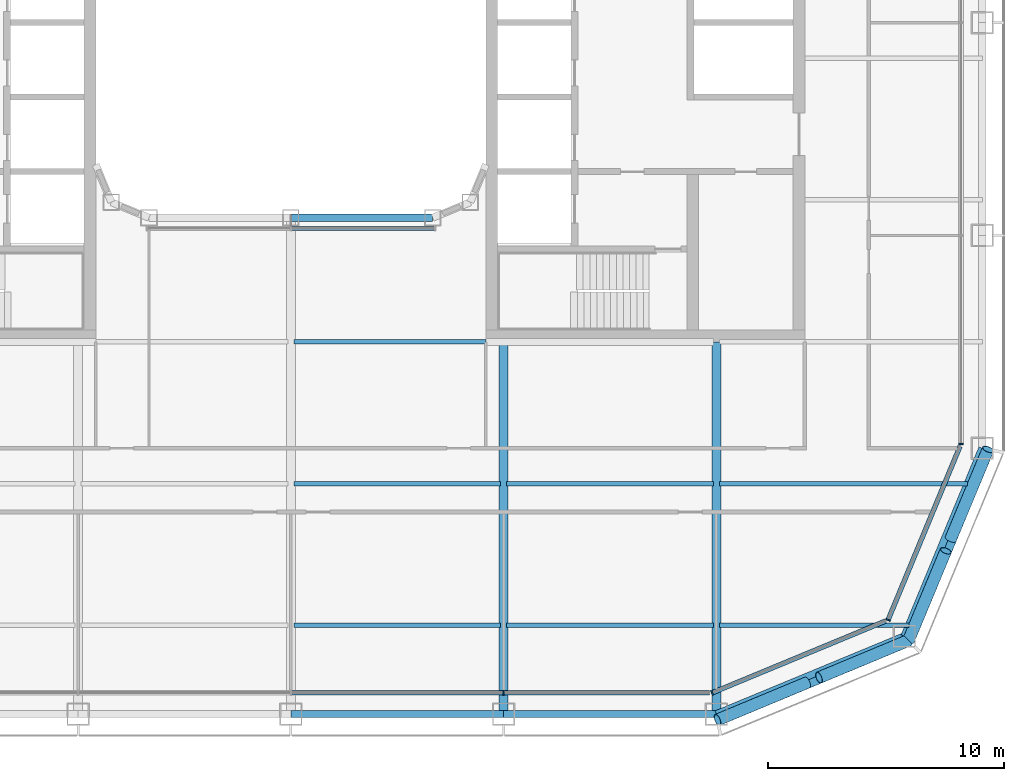
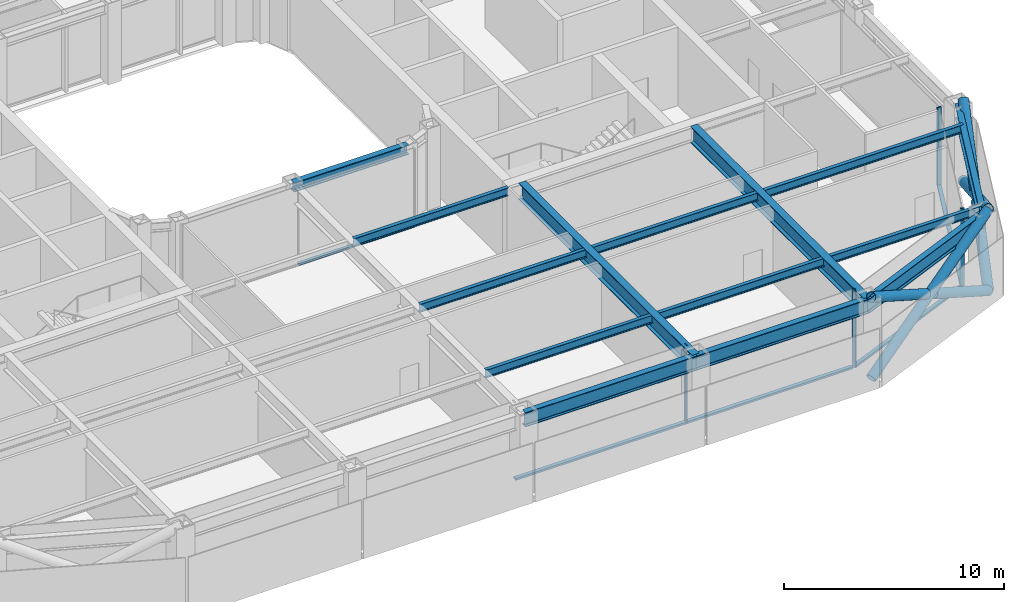
# One storey, part 4 of 23: 15 members, 14 beams, 5 elements without a shape of their own.
"""IFC4 building model written with IfcOpenShell, lengths in metres."""

from ifc_helpers import new_model, si_unit, direction, frame, origin, origin_2d, place, context, subcontext, project, spatial, rectangle, hollow_circle, i_section, extrude, material, layer, layer_set, material_profile, profile_set, type_object, element, aggregate, save


model = new_model("IFC4")

# Units and contexts
model_context = context("Model", 3, precision=1e-05, world=origin(), true_north=direction((0.0, 1.0)))
body_context = subcontext(model_context, "Body", "Model", "MODEL_VIEW")
ifc_project = project(units=[si_unit("LENGTHUNIT", "METRE"), si_unit("AREAUNIT", "SQUARE_METRE"), si_unit("VOLUMEUNIT", "CUBIC_METRE"), si_unit("PLANEANGLEUNIT", "RADIAN"), si_unit("MASSUNIT", "GRAM", prefix="KILO")], contexts=[model_context])

# Site, building, storey
site_placement = place(None, origin())
site = spatial("IfcSite", under=ifc_project, at=site_placement, CompositionType="ELEMENT")
building_placement = place(site_placement, origin())
building = spatial("IfcBuilding", under=site, at=building_placement, Name="Siwar Civic Tower", CompositionType="ELEMENT")
storey_placement = place(building_placement, frame((0.0, 0.0, 118.199951171875)))
storey = spatial("IfcBuildingStorey", under=building, at=storey_placement, Name="L25", CompositionType="ELEMENT", Elevation=118.199951171875)

# Curtain wall, member
ifc_material_1 = material(Name="Aluminium and glass", Category="aluminium")
ifc_layer_1 = layer(ifc_material_1, 0.199951171875)
ifc_layer_set_1 = layer_set([ifc_layer_1], Name="Aluminium and glass")
curtain_wall_type_1 = type_object("IfcCurtainWallType", Name="ENV-CW-B", PredefinedType="NOTDEFINED", material=ifc_layer_set_1)
curtain_wall_1_placement = place(storey_placement, origin())
curtain_wall_1 = element("IfcCurtainWall", 1, at=curtain_wall_1_placement, inside=storey, type_object=curtain_wall_type_1, Name="Curtain wall B S", PredefinedType="NOTDEFINED")
ifc_material_2 = material(Name="Aluminium 6063-T6", Category="aluminium")
ifc_material_profile_1 = material_profile(ifc_material_2, rectangle(XDim=0.199951171875, YDim=0.06494140625, at=origin_2d()), Name="AL 200x65")
ifc_profile_set_1 = profile_set([ifc_material_profile_1], Name="Aluminium 6063-T6")
member_type_1 = type_object("IfcMemberType", Name="ENV-MULLION-B", PredefinedType="MULLION", material=ifc_profile_set_1)
member_1_placement = place(storey_placement, frame((9.0, -28.35009765625, 0.0), z_axis=(0.0, 0.0, 1.0), x_axis=(0.0, 1.0, 0.0)))
member_1 = element("IfcMember", 2, at=member_1_placement, type_object=member_type_1, Name="Mullion B S 4", PredefinedType="MULLION", context=body_context, shape_type="SweptSolid", body=[
    extrude(rectangle(XDim=0.199951171875, YDim=0.06494140625, at=origin_2d()), origin(), (0.0, 0.0, 1.0), 4.35009765625),
])

ifc_material_3 = material(Name="Aluminium clad insulated panel", Category="aluminium")
ifc_layer_2 = layer(ifc_material_3, 0.199951171875)
ifc_layer_set_2 = layer_set([ifc_layer_2], Name="Aluminium clad insulated panel")
curtain_wall_type_2 = type_object("IfcCurtainWallType", Name="ENV-CW-BX", PredefinedType="NOTDEFINED", material=ifc_layer_set_2)
curtain_wall_2_placement = place(storey_placement, origin())
curtain_wall_2 = element("IfcCurtainWall", 3, at=curtain_wall_2_placement, inside=storey, type_object=curtain_wall_type_2, Name="Curtain wall B SE1", PredefinedType="NOTDEFINED")
member_2_placement = place(storey_placement, frame((17.821044921875, -28.35009765625, 0.0), z_axis=(0.0, 0.0, 1.0), x_axis=(-0.382683432365, 0.923879532511, 0.0)))
member_2 = element("IfcMember", 4, at=member_2_placement, type_object=member_type_1, Name="Mullion B SE1 1", PredefinedType="MULLION", context=body_context, shape_type="SweptSolid", body=[
    extrude(rectangle(XDim=0.199951171875, YDim=0.06494140625, at=origin_2d()), origin(), (0.0, 0.0, 1.0), 4.35009765625),
])

curtain_wall_3_placement = place(storey_placement, origin())
curtain_wall_3 = element("IfcCurtainWall", 5, at=curtain_wall_3_placement, inside=storey, type_object=curtain_wall_type_2, Name="Curtain wall B SE2", PredefinedType="NOTDEFINED")
member_3_placement = place(storey_placement, frame((25.26611328125, -25.26611328125, 0.0), z_axis=(0.0, 0.0, 1.0), x_axis=(-0.923879532511, 0.382683432365, 0.0)))
member_3 = element("IfcMember", 6, at=member_3_placement, type_object=member_type_1, Name="Mullion B SE2 1", PredefinedType="MULLION", context=body_context, shape_type="SweptSolid", body=[
    extrude(rectangle(XDim=0.199951171875, YDim=0.06494140625, at=origin_2d()), origin(), (0.0, 0.0, 1.0), 4.35009765625),
])

curtain_wall_4_placement = place(storey_placement, origin())
curtain_wall_4 = element("IfcCurtainWall", 7, at=curtain_wall_4_placement, inside=storey, type_object=curtain_wall_type_1, Name="Curtain wall B E", PredefinedType="NOTDEFINED")
member_4_placement = place(storey_placement, frame((28.35009765625, -17.821044921875, 0.0), z_axis=(0.0, 0.0, 1.0), x_axis=(-1.0, 0.0, 0.0)))
member_4 = element("IfcMember", 8, at=member_4_placement, type_object=member_type_1, Name="Mullion B E 1", PredefinedType="MULLION", context=body_context, shape_type="SweptSolid", body=[
    extrude(rectangle(XDim=0.199951171875, YDim=0.06494140625, at=origin_2d()), origin(), (0.0, 0.0, 1.0), 4.35009765625),
])
aggregate(curtain_wall_4, [member_4])

# Member
ifc_material_4 = material(Name="Aluminium 6063-T6", Category="aluminium")
ifc_material_profile_2 = material_profile(ifc_material_4, rectangle(XDim=0.199951171875, YDim=0.110107421875, at=origin_2d()), Name="AL 200x110")
ifc_profile_set_2 = profile_set([ifc_material_profile_2], Name="Aluminium 6063-T6")
member_type_2 = type_object("IfcMemberType", Name="ENV-TRANSOM-B", PredefinedType="USERDEFINED", material=ifc_profile_set_2)
member_5_placement = place(storey_placement, frame((0.032470703125, -28.35009765625, 0.054931640625), z_axis=(1.0, 0.0, 0.0), x_axis=(0.0, 1.0, 0.0)))
member_5 = element("IfcMember", 9, at=member_5_placement, type_object=member_type_2, Name="Transom B S 3", ObjectType="TRANSOM", PredefinedType="USERDEFINED", context=body_context, shape_type="SweptSolid", body=[
    extrude(rectangle(XDim=0.199951171875, YDim=0.110107421875, at=origin_2d()), origin(), (0.0, 0.0, 1.0), 8.93505859375),
])

member_6_placement = place(storey_placement, frame((9.032470703125, -28.35009765625, 0.054931640625), z_axis=(1.0, 0.0, 0.0), x_axis=(0.0, 1.0, 0.0)))
member_6 = element("IfcMember", 10, at=member_6_placement, type_object=member_type_2, Name="Transom B S 4", ObjectType="TRANSOM", PredefinedType="USERDEFINED", context=body_context, shape_type="SweptSolid", body=[
    extrude(rectangle(XDim=0.199951171875, YDim=0.110107421875, at=origin_2d()), origin(), (0.0, 0.0, 1.0), 8.6748046875),
])

aggregate(curtain_wall_1, [member_1, member_5, member_6])

member_7_placement = place(storey_placement, frame((17.85107421875, -28.337646484375, 0.054931640625), z_axis=(0.92387279587, 0.382699695651, 0.0), x_axis=(-0.382699695651, 0.92387279587, 0.0)))
member_7 = element("IfcMember", 11, at=member_7_placement, type_object=member_type_2, Name="Transom B SE1 1", ObjectType="TRANSOM", PredefinedType="USERDEFINED", context=body_context, shape_type="SweptSolid", body=[
    extrude(rectangle(XDim=0.199951171875, YDim=0.110107421875, at=origin_2d()), origin(), (0.0, 0.0, 1.0), 7.912353515625),
])

aggregate(curtain_wall_2, [member_2, member_7])

member_8_placement = place(storey_placement, frame((25.278564453125, -25.236083984375, 0.054931640625), z_axis=(0.382673358825, 0.923883705044, 0.0), x_axis=(-0.923883705044, 0.382673358825, 0.0)))
member_8 = element("IfcMember", 12, at=member_8_placement, type_object=member_type_2, Name="Transom B SE2 1", ObjectType="TRANSOM", PredefinedType="USERDEFINED", context=body_context, shape_type="SweptSolid", body=[
    extrude(rectangle(XDim=0.199951171875, YDim=0.110107421875, at=origin_2d()), origin(), (0.0, 0.0, 1.0), 7.912353515625),
])

aggregate(curtain_wall_3, [member_3, member_8])

# Curtain wall, member
ifc_material_5 = material(Name="Aluminium and glass", Category="aluminium")
ifc_layer_3 = layer(ifc_material_5, 0.179931640625)
ifc_layer_set_3 = layer_set([ifc_layer_3], Name="Aluminium and glass")
curtain_wall_type_3 = type_object("IfcCurtainWallType", Name="ENV-CW-W", PredefinedType="NOTDEFINED", material=ifc_layer_set_3)
curtain_wall_5_placement = place(storey_placement, origin())
curtain_wall_5 = element("IfcCurtainWall", 13, at=curtain_wall_5_placement, inside=storey, type_object=curtain_wall_type_3, Name="Curtain wall W WS", PredefinedType="NOTDEFINED")
ifc_material_6 = material(Name="Aluminium 6063-T6", Category="aluminium")
ifc_material_profile_3 = material_profile(ifc_material_6, rectangle(XDim=0.179931640625, YDim=0.10009765625, at=origin_2d()), Name="AL 180x100")
ifc_profile_set_3 = profile_set([ifc_material_profile_3], Name="Aluminium 6063-T6")
member_type_3 = type_object("IfcMemberType", Name="ENV-TRANSOM-W", PredefinedType="USERDEFINED", material=ifc_profile_set_3)
member_9_placement = place(storey_placement, frame((0.030029296875, -8.7099609375, 0.050048828125), z_axis=(1.0, 0.0, 0.0), x_axis=(0.0, 1.0, 0.0)))
member_9 = element("IfcMember", 14, at=member_9_placement, type_object=member_type_3, Name="Transom W WS 2", ObjectType="TRANSOM", PredefinedType="USERDEFINED", context=body_context, shape_type="SweptSolid", body=[
    extrude(rectangle(XDim=0.179931640625, YDim=0.10009765625, at=origin_2d()), origin(), (0.0, 0.0, 1.0), 6.031494140625),
])
aggregate(curtain_wall_5, [member_9])

# Members
ifc_material_7 = material(Name="Steel S355", Category="steel")
ifc_material_profile_4 = material_profile(ifc_material_7, hollow_circle(Radius=0.25390625, WallThickness=0.02490234375, at=origin_2d()), Name="CHS508x25")
ifc_profile_set_4 = profile_set([ifc_material_profile_4], Name="Steel S355")
member_type_4 = type_object("IfcMemberType", Name="STR-BR-CHS508x25", PredefinedType="BRACE", material=ifc_profile_set_4)
member_10_placement = place(storey_placement, frame((29.4951171875, -18.048828125, 0.0), z_axis=(-0.341671493852, -0.821142553604, 0.457149315816), x_axis=(0.923264922524, -0.384163874976, 0.0)))
element("IfcMember", 15, at=member_10_placement, inside=storey, type_object=member_type_4, Name="L25/brc/BSE1-4-0-1", PredefinedType="BRACE", context=body_context, shape_type="SweptSolid", body=[
    extrude(hollow_circle(Radius=0.25390625, WallThickness=0.02490234375, at=origin_2d()), origin(), (0.0, 0.0, 1.0), 9.843505859375),
])
member_11_placement = place(storey_placement, frame((26.1318359375, -26.1318359375, 0.0), z_axis=(0.341662474736, 0.821143275065, 0.457154760636), x_axis=(-0.923268638995, 0.384154943021, 0.0)))
element("IfcMember", 16, at=member_11_placement, inside=storey, type_object=member_type_4, Name="L25/brc/BSE1-4-0-2", PredefinedType="BRACE", context=body_context, shape_type="SweptSolid", body=[
    extrude(hollow_circle(Radius=0.25390625, WallThickness=0.02490234375, at=origin_2d()), origin(), (0.0, 0.0, 1.0), 4.61474609375),
])
member_12_placement = place(storey_placement, frame((27.91845703125, -21.837890625, 2.390625), z_axis=(0.34168558233, 0.821145902409, 0.457132770413), x_axis=(-0.923259859753, 0.384176042158, 0.0)))
element("IfcMember", 17, at=member_12_placement, inside=storey, type_object=member_type_4, Name="L25/brc/BSE1-4-0-3", PredefinedType="BRACE", context=body_context, shape_type="SweptSolid", body=[
    extrude(hollow_circle(Radius=0.25390625, WallThickness=0.02490234375, at=origin_2d()), origin(), (0.0, 0.0, 1.0), 4.6142578125),
])
member_13_placement = place(storey_placement, frame((18.048828125, -29.4951171875, 0.0), z_axis=(0.821142553604, 0.341671493852, 0.457149315816), x_axis=(-0.384163874976, 0.923264922524, 0.0)))
element("IfcMember", 18, at=member_13_placement, inside=storey, type_object=member_type_4, Name="L25/brc/BSE1-4-0-0", PredefinedType="BRACE", context=body_context, shape_type="SweptSolid", body=[
    extrude(hollow_circle(Radius=0.25390625, WallThickness=0.02490234375, at=origin_2d()), origin(), (0.0, 0.0, 1.0), 9.843505859375),
])
member_14_placement = place(storey_placement, frame((26.1318359375, -26.1318359375, 0.0), z_axis=(-0.821143275065, -0.341662474736, 0.457154760636), x_axis=(0.384154943021, -0.923268638995, 0.0)))
element("IfcMember", 19, at=member_14_placement, inside=storey, type_object=member_type_4, Name="L25/brc/BSE1-4-0-4", PredefinedType="BRACE", context=body_context, shape_type="SweptSolid", body=[
    extrude(hollow_circle(Radius=0.25390625, WallThickness=0.02490234375, at=origin_2d()), origin(), (0.0, 0.0, 1.0), 4.61474609375),
])
member_15_placement = place(storey_placement, frame((21.837890625, -27.91845703125, 2.390625), z_axis=(-0.821145902409, -0.34168558233, 0.457132770413), x_axis=(0.384176042158, -0.923259859753, 0.0)))
element("IfcMember", 20, at=member_15_placement, inside=storey, type_object=member_type_4, Name="L25/brc/BSE1-4-0-5", PredefinedType="BRACE", context=body_context, shape_type="SweptSolid", body=[
    extrude(hollow_circle(Radius=0.25390625, WallThickness=0.02490234375, at=origin_2d()), origin(), (0.0, 0.0, 1.0), 4.6142578125),
])

# Beams
ifc_material_8 = material(Name="Steel S355", Category="steel")
ifc_material_profile_5 = material_profile(ifc_material_8, i_section(OverallWidth=0.18994140625, OverallDepth=0.449951171875, WebThickness=0.009521484375, FlangeThickness=0.0146484375, FilletRadius=0.02099609375, at=origin_2d()), Name="IPE450")
ifc_profile_set_5 = profile_set([ifc_material_profile_5], Name="Steel S355")
beam_type_1 = type_object("IfcBeamType", Name="STR-FB-IPE450", PredefinedType="JOIST", material=ifc_profile_set_5)
for number, where, z_axis, x_axis, name in (
    (21, (0.1298828125, -25.5, 4.125), (1.0, 0.0, 0.0), (0.0, 1.0, 0.0), "L25/bm/F004"),
    (22, (9.1298828125, -25.5, 4.125), (1.0, 0.0, 0.0), (0.0, 1.0, 0.0), "L25/bm/F005"),
):
    element("IfcBeam", number, at=place(storey_placement, frame(where, z_axis=z_axis, x_axis=x_axis)), inside=storey, type_object=beam_type_1, Name=name, PredefinedType="JOIST", context=body_context, shape_type="SweptSolid", body=[
        extrude(i_section(OverallWidth=0.18994140625, OverallDepth=0.449951171875, WebThickness=0.009521484375, FlangeThickness=0.0146484375, FilletRadius=0.02099609375, at=origin_2d()), origin(), (0.0, 0.0, 1.0), 8.740234375),
    ])
beam_1_placement = place(storey_placement, frame((18.1298828125, -25.5, 4.125), z_axis=(1.0, 0.0, 0.0), x_axis=(0.0, 1.0, 0.0)))
element("IfcBeam", 23, at=beam_1_placement, inside=storey, type_object=beam_type_1, Name="L25/bm/F006", PredefinedType="JOIST", context=body_context, shape_type="SweptSolid", body=[
    extrude(i_section(OverallWidth=0.18994140625, OverallDepth=0.449951171875, WebThickness=0.009521484375, FlangeThickness=0.0146484375, FilletRadius=0.02099609375, at=origin_2d()), origin(), (0.0, 0.0, 1.0), 8.013427734375),
])
for number, where, z_axis, x_axis, name in (
    (24, (0.1298828125, -19.5, 4.125), (1.0, 0.0, 0.0), (0.0, 1.0, 0.0), "L25/bm/F010"),
    (25, (9.1298828125, -19.5, 4.125), (1.0, 0.0, 0.0), (0.0, 1.0, 0.0), "L25/bm/F011"),
):
    element("IfcBeam", number, at=place(storey_placement, frame(where, z_axis=z_axis, x_axis=x_axis)), inside=storey, type_object=beam_type_1, Name=name, PredefinedType="JOIST", context=body_context, shape_type="SweptSolid", body=[
        extrude(i_section(OverallWidth=0.18994140625, OverallDepth=0.449951171875, WebThickness=0.009521484375, FlangeThickness=0.0146484375, FilletRadius=0.02099609375, at=origin_2d()), origin(), (0.0, 0.0, 1.0), 8.740234375),
    ])
beam_2_placement = place(storey_placement, frame((18.1298828125, -19.5, 4.125), z_axis=(1.0, 0.0, 0.0), x_axis=(0.0, 1.0, 0.0)))
element("IfcBeam", 26, at=beam_2_placement, inside=storey, type_object=beam_type_1, Name="L25/bm/F012", PredefinedType="JOIST", context=body_context, shape_type="SweptSolid", body=[
    extrude(i_section(OverallWidth=0.18994140625, OverallDepth=0.449951171875, WebThickness=0.009521484375, FlangeThickness=0.0146484375, FilletRadius=0.02099609375, at=origin_2d()), origin(), (0.0, 0.0, 1.0), 10.498779296875),
])
beam_3_placement = place(storey_placement, frame((0.1298828125, -13.5, 4.125), z_axis=(1.0, 0.0, 0.0), x_axis=(0.0, 1.0, 0.0)))
element("IfcBeam", 27, at=beam_3_placement, inside=storey, type_object=beam_type_1, Name="L25/bm/F017", PredefinedType="JOIST", context=body_context, shape_type="SweptSolid", body=[
    extrude(i_section(OverallWidth=0.18994140625, OverallDepth=0.449951171875, WebThickness=0.009521484375, FlangeThickness=0.0146484375, FilletRadius=0.02099609375, at=origin_2d()), origin(), (0.0, 0.0, 1.0), 8.1201171875),
])
ifc_material_9 = material(Name="Steel S355", Category="steel")
ifc_material_profile_6 = material_profile(ifc_material_9, i_section(OverallWidth=0.3798828125, OverallDepth=0.89990234375, WebThickness=0.01611328125, FlangeThickness=0.035888671875, at=origin_2d()), Name="PG900x380x16x36")
ifc_profile_set_6 = profile_set([ifc_material_profile_6], Name="Steel S355")
beam_type_2 = type_object("IfcBeamType", Name="STR-PG-PG900x380x16x36", PredefinedType="BEAM", material=ifc_profile_set_6)
for number, where, z_axis, x_axis, name in (
    (28, (9.0, -29.25, 3.900146484375), (0.0, 1.0, 0.0), (-1.0, 0.0, 0.0), "L25/bm/G07"),
    (29, (18.0, -29.25, 3.900146484375), (0.0, 1.0, 0.0), (-1.0, 0.0, 0.0), "L25/bm/G09"),
):
    element("IfcBeam", number, at=place(storey_placement, frame(where, z_axis=z_axis, x_axis=x_axis)), inside=storey, type_object=beam_type_2, Name=name, PredefinedType="BEAM", context=body_context, shape_type="SweptSolid", body=[
        extrude(i_section(OverallWidth=0.3798828125, OverallDepth=0.89990234375, WebThickness=0.01611328125, FlangeThickness=0.035888671875, at=origin_2d()), origin(), (0.0, 0.0, 1.0), 15.75),
    ])
ifc_material_10 = material(Name="Steel S355", Category="steel")
ifc_material_profile_7 = material_profile(ifc_material_10, i_section(OverallWidth=0.305908203125, OverallDepth=0.52392578125, WebThickness=0.02099609375, FlangeThickness=0.0400390625, FilletRadius=0.027099609375, at=origin_2d()), Name="HEM500")
ifc_profile_set_7 = profile_set([ifc_material_profile_7], Name="Steel S355")
beam_type_3 = type_object("IfcBeamType", Name="STR-RB-HEM500", PredefinedType="BEAM", material=ifc_profile_set_7)
beam_4_placement = place(storey_placement, frame((0.0, -8.25, 4.088134765625), z_axis=(1.0, 0.0, 0.0), x_axis=(0.0, 1.0, 0.0)))
element("IfcBeam", 30, at=beam_4_placement, inside=storey, type_object=beam_type_3, Name="L25/bm/RS2", PredefinedType="BEAM", context=body_context, shape_type="SweptSolid", body=[
    extrude(i_section(OverallWidth=0.305908203125, OverallDepth=0.52392578125, WebThickness=0.02099609375, FlangeThickness=0.0400390625, FilletRadius=0.027099609375, at=origin_2d()), origin(), (0.0, 0.0, 1.0), 6.0),
])
ifc_material_11 = material(Name="Steel S355", Category="steel")
ifc_material_profile_8 = material_profile(ifc_material_11, i_section(OverallWidth=0.300048828125, OverallDepth=0.800048828125, WebThickness=0.017578125, FlangeThickness=0.032958984375, FilletRadius=0.030029296875, at=origin_2d()), Name="HEB800")
ifc_profile_set_8 = profile_set([ifc_material_profile_8], Name="Steel S355")
beam_type_4 = type_object("IfcBeamType", Name="STR-SB-HEB800", PredefinedType="BEAM", material=ifc_profile_set_8)
for number, where, z_axis, x_axis, name in (
    (31, (0.0, -29.25, 3.949951171875), (1.0, 0.0, 0.0), (0.0, 1.0, 0.0), "L25/bm/SS-2"),
    (32, (9.0, -29.25, 3.949951171875), (1.0, 0.0, 0.0), (0.0, 1.0, 0.0), "L25/bm/SS-3"),
):
    element("IfcBeam", number, at=place(storey_placement, frame(where, z_axis=z_axis, x_axis=x_axis)), inside=storey, type_object=beam_type_4, Name=name, PredefinedType="BEAM", context=body_context, shape_type="SweptSolid", body=[
        extrude(i_section(OverallWidth=0.300048828125, OverallDepth=0.800048828125, WebThickness=0.017578125, FlangeThickness=0.032958984375, FilletRadius=0.030029296875, at=origin_2d()), origin(), (0.0, 0.0, 1.0), 9.0),
    ])
for number, where, z_axis, x_axis, name in (
    (33, (18.0, -29.25, 3.949951171875), (0.923872720536, 0.382699877515, 0.0), (-0.382699877515, 0.923872720536, 0.0), "L25/bm/SSE1-0"),
    (34, (25.954833984375, -25.954833984375, 3.949951171875), (0.382699877515, 0.923872720536, 0.0), (-0.923872720536, 0.382699877515, 0.0), "L25/bm/SSE2-0"),
):
    element("IfcBeam", number, at=place(storey_placement, frame(where, z_axis=z_axis, x_axis=x_axis)), inside=storey, type_object=beam_type_4, Name=name, PredefinedType="BEAM", context=body_context, shape_type="SweptSolid", body=[
        extrude(i_section(OverallWidth=0.300048828125, OverallDepth=0.800048828125, WebThickness=0.017578125, FlangeThickness=0.032958984375, FilletRadius=0.030029296875, at=origin_2d()), origin(), (0.0, 0.0, 1.0), 8.6103515625),
    ])

save(model, "model.ifc")
